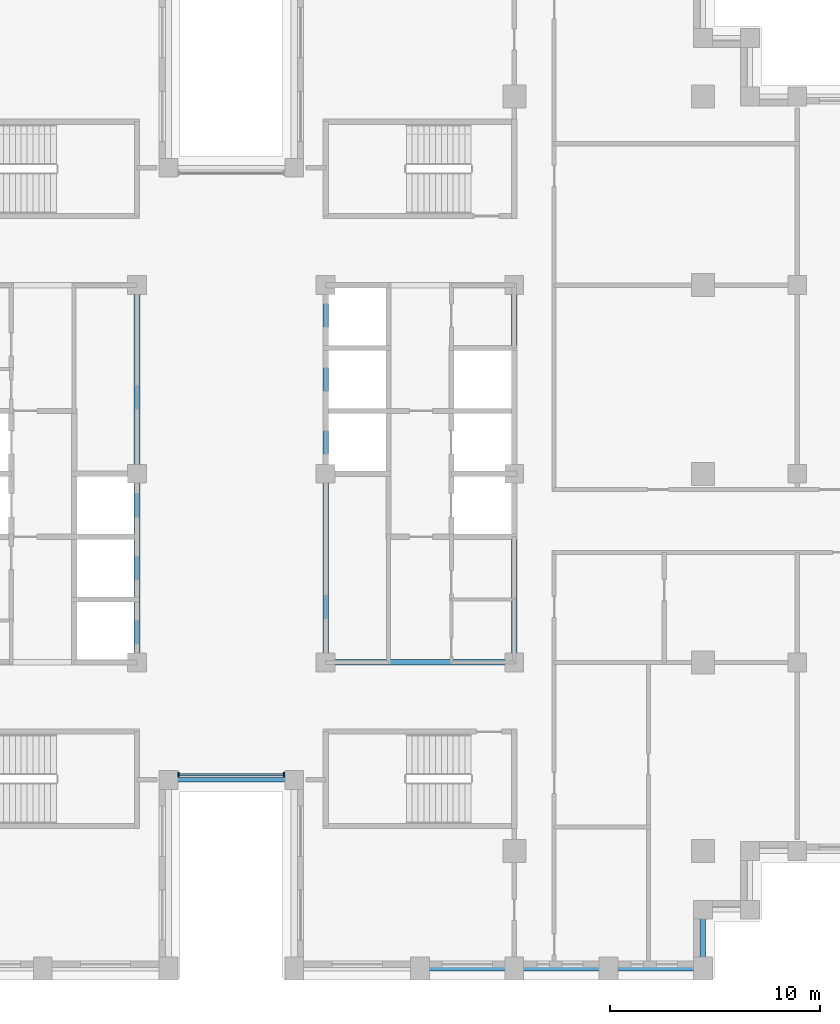
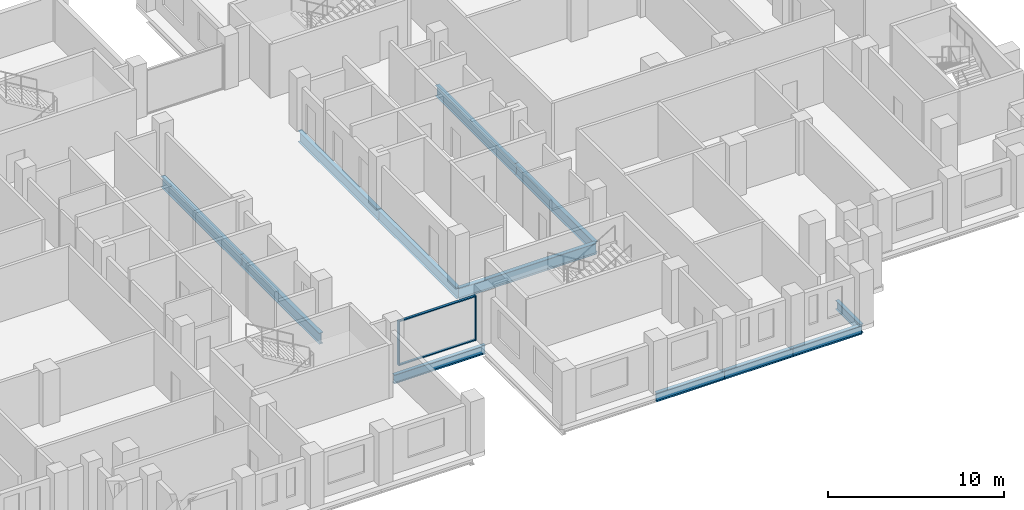
# One storey, part 2 of 15: 12 beams, 4 members, 1 element without a shape of its own.
"""IFC4 building model written with IfcOpenShell, lengths in metres."""

from ifc_helpers import new_model, si_unit, direction, frame, origin, origin_2d, place, context, subcontext, project, spatial, rectangle, i_section, extrude, material, layer, layer_set, material_profile, profile_set, type_object, element, aggregate, save


model = new_model("IFC4")

# Units and contexts
model_context = context("Model", 3, precision=1e-05, world=origin(), true_north=direction((0.0, 1.0)))
body_context = subcontext(model_context, "Body", "Model", "MODEL_VIEW")
ifc_project = project(units=[si_unit("LENGTHUNIT", "METRE"), si_unit("AREAUNIT", "SQUARE_METRE"), si_unit("VOLUMEUNIT", "CUBIC_METRE"), si_unit("PLANEANGLEUNIT", "RADIAN"), si_unit("MASSUNIT", "GRAM", prefix="KILO")], contexts=[model_context])

# Site, building, storey
site_placement = place(None, origin())
site = spatial("IfcSite", under=ifc_project, at=site_placement, CompositionType="ELEMENT")
building_placement = place(site_placement, origin())
building = spatial("IfcBuilding", under=site, at=building_placement, Name="Corbelhall Arena Tower", CompositionType="ELEMENT")
storey_placement = place(building_placement, frame((0.0, 0.0, 138.0)))
storey = spatial("IfcBuildingStorey", under=building, at=storey_placement, Name="L26", CompositionType="ELEMENT", Elevation=138.0)

# Curtain wall, members
ifc_material_1 = material(Name="Aluminium black anodised", Category="aluminium")
ifc_layer = layer(ifc_material_1, 0.199951171875)
ifc_layer_set = layer_set([ifc_layer], Name="EV-CW1 Slot back wall")
curtain_wall_type = type_object("IfcCurtainWallType", Name="EV-CW1 Slot back wall", PredefinedType="NOTDEFINED", material=ifc_layer_set)
curtain_wall_placement = place(storey_placement, origin())
curtain_wall = element("IfcCurtainWall", 1, at=curtain_wall_placement, inside=storey, type_object=curtain_wall_type, Name="Curtain wall CW1", PredefinedType="NOTDEFINED")
ifc_material_profile_1 = material_profile(ifc_material_1, rectangle(XDim=0.199951171875, YDim=0.074951171875, at=origin_2d()))
ifc_profile_set_1 = profile_set([ifc_material_profile_1], Name="Aluminium black anodised")
member_type_1 = type_object("IfcMemberType", Name="EV-CW1-MULLION", PredefinedType="MULLION", material=ifc_profile_set_1)
member_1_placement = place(storey_placement, frame((-2.512451171875, -14.35009765625, 0.0), z_axis=(0.0, 0.0, 1.0), x_axis=(0.0, 1.0, 0.0)))
member_1 = element("IfcMember", 2, at=member_1_placement, type_object=member_type_1, Name="CW1 mullion 1", PredefinedType="MULLION", context=body_context, shape_type="SweptSolid", body=[
    extrude(rectangle(XDim=0.199951171875, YDim=0.074951171875, at=origin_2d()), origin(), (0.0, 0.0, 1.0), 3.10009765625),
])
member_2_placement = place(storey_placement, frame((2.512451171875, -14.35009765625, 0.0), z_axis=(0.0, 0.0, 1.0), x_axis=(0.0, 1.0, 0.0)))
member_2 = element("IfcMember", 3, at=member_2_placement, type_object=member_type_1, Name="CW1 mullion 2", PredefinedType="MULLION", context=body_context, shape_type="SweptSolid", body=[
    extrude(rectangle(XDim=0.199951171875, YDim=0.074951171875, at=origin_2d()), origin(), (0.0, 0.0, 1.0), 3.10009765625),
])
ifc_material_profile_2 = material_profile(ifc_material_1, rectangle(XDim=0.14990234375, YDim=0.074951171875, at=origin_2d()))
ifc_profile_set_2 = profile_set([ifc_material_profile_2], Name="Aluminium black anodised")
member_type_2 = type_object("IfcMemberType", Name="EV-CW1-TRANSOM", PredefinedType="USERDEFINED", material=ifc_profile_set_2)
member_3_placement = place(storey_placement, frame((-2.47509765625, -14.35009765625, 0.03759765625), z_axis=(1.0, 0.0, 0.0), x_axis=(0.0, 1.0, 0.0)))
member_3 = element("IfcMember", 4, at=member_3_placement, type_object=member_type_2, Name="CW1 transom 1.1", ObjectType="transom", PredefinedType="USERDEFINED", context=body_context, shape_type="SweptSolid", body=[
    extrude(rectangle(XDim=0.14990234375, YDim=0.074951171875, at=origin_2d()), origin(), (0.0, 0.0, 1.0), 4.9501953125),
])
member_4_placement = place(storey_placement, frame((-2.47509765625, -14.35009765625, 3.0625), z_axis=(1.0, 0.0, 0.0), x_axis=(0.0, 1.0, 0.0)))
member_4 = element("IfcMember", 5, at=member_4_placement, type_object=member_type_2, Name="CW1 transom 1.2", ObjectType="transom", PredefinedType="USERDEFINED", context=body_context, shape_type="SweptSolid", body=[
    extrude(rectangle(XDim=0.14990234375, YDim=0.074951171875, at=origin_2d()), origin(), (0.0, 0.0, 1.0), 4.9501953125),
])
aggregate(curtain_wall, [member_1, member_2, member_3, member_4])

# Beams
ifc_material_2 = material(Name="Steel ASTM A992 Gr50", Category="steel")
ifc_material_profile_3 = material_profile(ifc_material_2, i_section(OverallWidth=0.2666015625, OverallDepth=0.761962890625, WebThickness=0.014404296875, FlangeThickness=0.021484375, at=origin_2d()))
ifc_profile_set_3 = profile_set([ifc_material_profile_3], Name="Steel ASTM A992 Gr50")
beam_type_1 = type_object("IfcBeamType", Name="ST-BEAM-W30x116", PredefinedType="BEAM", material=ifc_profile_set_3)
for number, where, z_axis, x_axis, name in (
    (6, (-4.5, -9.0, -0.680908203125), (0.0, 1.0, 0.0), (-1.0, 0.0, 0.0), "Beam CEW 3"),
    (7, (-4.5, 0.0, -0.680908203125), (0.0, 1.0, 0.0), (-1.0, 0.0, 0.0), "Beam CEW 4"),
    (8, (4.5, -9.0, -0.680908203125), (0.0, 1.0, 0.0), (-1.0, 0.0, 0.0), "Beam CEE 7"),
    (9, (4.5, 0.0, -0.680908203125), (0.0, 1.0, 0.0), (-1.0, 0.0, 0.0), "Beam CEE 8"),
    (10, (13.5, -9.0, -0.680908203125), (0.0, 1.0, 0.0), (-1.0, 0.0, 0.0), "Beam CEE 9"),
    (11, (13.5, 0.0, -0.680908203125), (0.0, 1.0, 0.0), (-1.0, 0.0, 0.0), "Beam CEE 10"),
    (12, (4.5, -9.0, -0.680908203125), (1.0, 0.0, 0.0), (0.0, 1.0, 0.0), "Beam CEE 11"),
):
    element("IfcBeam", number, at=place(storey_placement, frame(where, z_axis=z_axis, x_axis=x_axis)), inside=storey, type_object=beam_type_1, Name=name, PredefinedType="BEAM", context=body_context, shape_type="SweptSolid", body=[
        extrude(i_section(OverallWidth=0.2666015625, OverallDepth=0.761962890625, WebThickness=0.014404296875, FlangeThickness=0.021484375, at=origin_2d()), origin(), (0.0, 0.0, 1.0), 9.0),
    ])
ifc_material_profile_4 = material_profile(ifc_material_2, i_section(OverallWidth=0.22900390625, OverallDepth=0.612060546875, WebThickness=0.011962890625, FlangeThickness=0.01953125, at=origin_2d()))
ifc_profile_set_4 = profile_set([ifc_material_profile_4], Name="Steel ASTM A992 Gr50")
beam_type_2 = type_object("IfcBeamType", Name="ST-SPANDREL-W24x84", PredefinedType="SPANDREL", material=ifc_profile_set_4)
for number, where, z_axis, x_axis, name in (
    (13, (13.5, -23.60009765625, -0.60595703125), (-1.0, 0.0, 0.0), (0.0, -1.0, 0.0), "Beam SP 29"),
    (14, (18.0, -23.60009765625, -0.60595703125), (-1.0, 0.0, 0.0), (0.0, -1.0, 0.0), "Beam SP 30"),
    (15, (22.5, -23.60009765625, -0.60595703125), (-1.0, 0.0, 0.0), (0.0, -1.0, 0.0), "Beam SP 31"),
):
    element("IfcBeam", number, at=place(storey_placement, frame(where, z_axis=z_axis, x_axis=x_axis)), inside=storey, type_object=beam_type_2, Name=name, PredefinedType="SPANDREL", context=body_context, shape_type="SweptSolid", body=[
        extrude(i_section(OverallWidth=0.22900390625, OverallDepth=0.612060546875, WebThickness=0.011962890625, FlangeThickness=0.01953125, at=origin_2d()), origin(), (0.0, 0.0, 1.0), 4.5),
    ])
beam_1_placement = place(storey_placement, frame((3.0, -14.60009765625, -0.60595703125), z_axis=(-1.0, 0.0, 0.0), x_axis=(0.0, -1.0, 0.0)))
element("IfcBeam", 16, at=beam_1_placement, inside=storey, type_object=beam_type_2, Name="Beam SP 41", PredefinedType="SPANDREL", context=body_context, shape_type="SweptSolid", body=[
    extrude(i_section(OverallWidth=0.22900390625, OverallDepth=0.612060546875, WebThickness=0.011962890625, FlangeThickness=0.01953125, at=origin_2d()), origin(), (0.0, 0.0, 1.0), 6.0),
])
beam_2_placement = place(storey_placement, frame((22.5, -20.800048828125, -0.60595703125), z_axis=(0.0, -1.0, 0.0), x_axis=(1.0, 0.0, 0.0)))
element("IfcBeam", 17, at=beam_2_placement, inside=storey, type_object=beam_type_2, Name="Beam SP 49", PredefinedType="SPANDREL", context=body_context, shape_type="SweptSolid", body=[
    extrude(i_section(OverallWidth=0.22900390625, OverallDepth=0.612060546875, WebThickness=0.011962890625, FlangeThickness=0.01953125, at=origin_2d()), origin(), (0.0, 0.0, 1.0), 2.800048828125),
])

save(model, "model.ifc")
